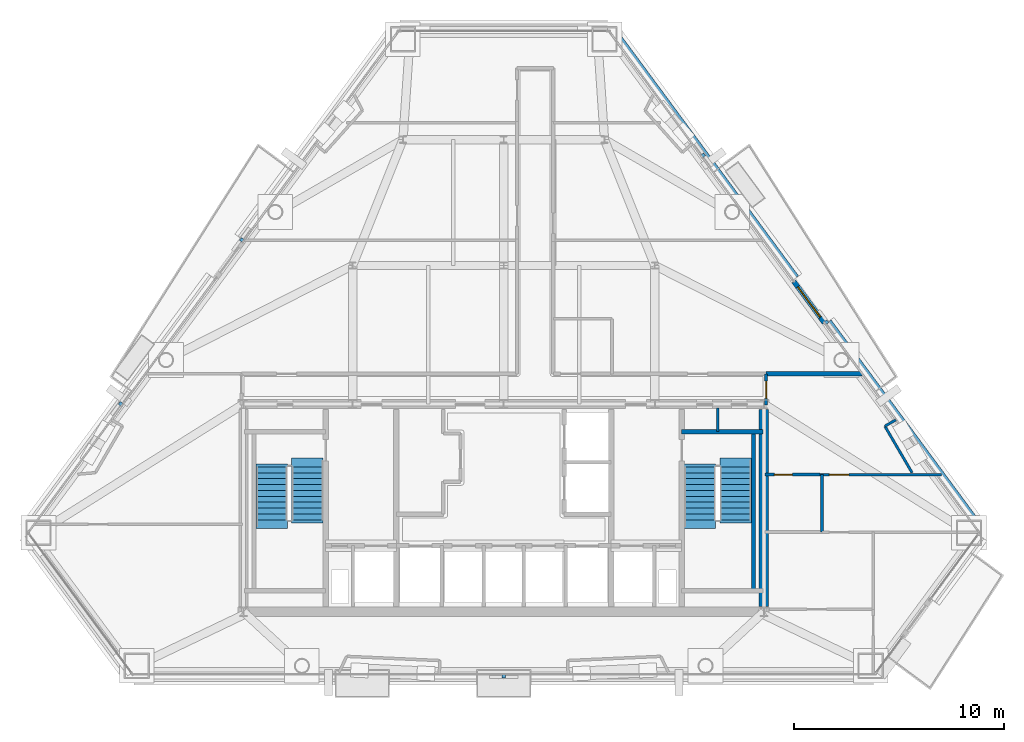
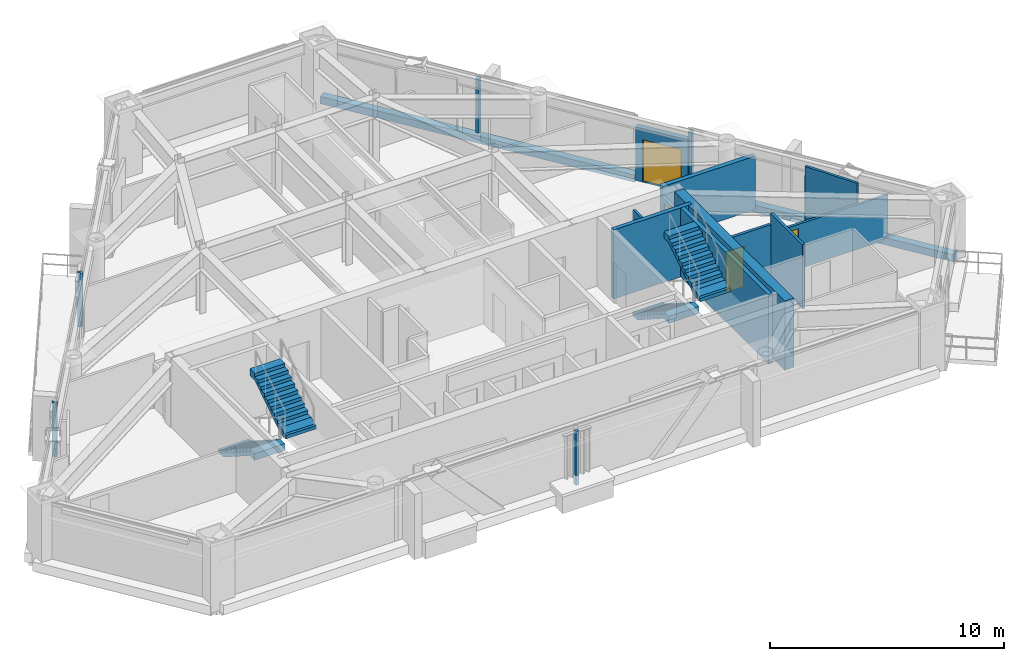
# One storey, part 9 of 11: 14 walls, 5 discrete accessories, 4 doors, 4 stair flights, 4 openings, 2 elements without a shape of their own.
"""IFC4 building model written with IfcOpenShell, lengths in metres."""

from ifc_helpers import new_model, si_unit, direction, frame, frame_2d, origin, origin_2d, place, context, subcontext, project, spatial, polyline, rectangle, outline, extrude, source, transform, mapped, material, layer, layer_set, type_object, type_shapes, element, fill, aggregate, save


model = new_model("IFC4")

# Units and contexts
model_context = context("Model", 3, precision=1e-05, world=origin(), true_north=direction((0.0, 1.0)))
body_context = subcontext(model_context, "Body", "Model", "MODEL_VIEW")
ifc_project = project(units=[si_unit("LENGTHUNIT", "METRE"), si_unit("AREAUNIT", "SQUARE_METRE"), si_unit("VOLUMEUNIT", "CUBIC_METRE"), si_unit("PLANEANGLEUNIT", "RADIAN"), si_unit("MASSUNIT", "GRAM", prefix="KILO")], contexts=[model_context])

# Site, building, storey
site_placement = place(None, origin())
site = spatial("IfcSite", under=ifc_project, at=site_placement, CompositionType="ELEMENT")
building_placement = place(site_placement, origin())
building = spatial("IfcBuilding", under=site, at=building_placement, Name="Talgorran Terracotta Tower", CompositionType="ELEMENT")
storey_placement = place(building_placement, frame((0.0, 0.0, 154.5)))
storey = spatial("IfcBuildingStorey", under=building, at=storey_placement, Name="L40", CompositionType="ELEMENT", Elevation=154.5)

# Wall, opening, door
ifc_material_1 = material(Name="Concrete C40/50", Category="concrete")
ifc_layer_1 = layer(ifc_material_1, 0.239990234375, Name="WT_BALCONY_SPAND")
ifc_layer_set_1 = layer_set([ifc_layer_1], Name="Concrete C40/50")
wall_type_1 = type_object("IfcWallType", Name="WT_BALCONY_SPAND", PredefinedType="STANDARD", material=ifc_layer_set_1)
wall_1_placement = place(storey_placement, frame((15.27490234375, -0.323974609375, -0.014892578125), z_axis=(0.0, 0.0, 1.0), x_axis=(-0.594092829232, 0.804396488216, 0.0)))
wall_1 = element("IfcWall", 1, at=wall_1_placement, inside=storey, type_object=wall_type_1, Name="WL-L40-BALP-BAL-NE", PredefinedType="STANDARD", context=body_context, shape_type="SweptSolid", body=[
    extrude(rectangle(XDim=2.440185546875, YDim=0.239990234375, at=frame_2d((1.22021484375, 0.0))), origin(), (0.0, 0.0, 1.0), 2.806884765625),
])
opening_1_placement = place(wall_1_placement, frame((0.320068359375, 0.0, 0.014892578125)))
opening_1 = element("IfcOpeningElement", 2, at=opening_1_placement, cuts=wall_1, Name="Opening D-BAL-L40-1", PredefinedType="OPENING", context=body_context, shape_type="SweptSolid", body=[
    extrude(rectangle(XDim=1.806048828125, YDim=2.203951171875, at=frame_2d((0.89990234375, 1.10205078125))), frame((0.0, 0.1298828125, 0.0), z_axis=(0.0, -1.0, 0.0), x_axis=(1.0, 0.0, 0.0)), (0.0, 0.0, 1.0), 0.260009765625),
])
ifc_material_2 = material(Name="Thermally Broken Aluminium", Category="aluminium")
door_type_1 = type_object("IfcDoorType", Name="DT_BALC_1800", OperationType="SLIDING_TO_LEFT", PredefinedType="DOOR", material=ifc_material_2)
door_1_placement = place(opening_1_placement, origin())
door_1 = element("IfcDoor", 3, at=door_1_placement, inside=storey, type_object=door_type_1, Name="DR-L40-BAL-BAL-NE", OperationType="SLIDING_TO_LEFT", OverallHeight=2.199951171875, OverallWidth=1.800048828125, PredefinedType="DOOR", context=body_context, shape_type="SweptSolid", body=[
    extrude(rectangle(XDim=1.800048828125, YDim=2.199951171875, at=frame_2d((0.89990234375, 1.10009765625))), frame((0.0, 0.02490234375, 0.0), z_axis=(0.0, -1.0, 0.0), x_axis=(1.0, 0.0, 0.0)), (0.0, 0.0, 1.0), 0.050048828125),
])
fill(opening_1, door_1)

# Walls
ifc_material_3 = material(Name="Concrete C50/60", Category="concrete")
ifc_layer_2 = layer(ifc_material_3, 0.199951171875, Name="WT_CORE_200")
ifc_layer_set_2 = layer_set([ifc_layer_2], Name="Concrete C50/60")
wall_type_2 = type_object("IfcWallType", Name="WT_CORE_200", PredefinedType="SOLIDWALL", material=ifc_layer_set_2)
wall_2_placement = place(storey_placement, frame((8.47998046875, -5.52001953125, 0.0), z_axis=(0.0, 0.0, 1.0), x_axis=(1.0, 0.0, 0.0)))
element("IfcWall", 4, at=wall_2_placement, inside=storey, type_object=wall_type_2, Name="WL-L40-CW-ST2-N", PredefinedType="SOLIDWALL", context=body_context, shape_type="SweptSolid", body=[
    extrude(rectangle(XDim=3.8701171875, YDim=0.199951171875, at=frame_2d((1.93505859375, 0.0))), origin(), (0.0, 0.0, 1.0), 3.60009765625),
])
wall_3_placement = place(storey_placement, frame((11.89990234375, -13.10009765625, 0.0), z_axis=(0.0, 0.0, 1.0), x_axis=(0.0, 1.0, 0.0)))
element("IfcWall", 5, at=wall_3_placement, inside=storey, type_object=wall_type_2, Name="WL-L40-CW-ST2-E", PredefinedType="SOLIDWALL", context=body_context, shape_type="SweptSolid", body=[
    extrude(rectangle(XDim=7.580078125, YDim=0.199951171875, at=frame_2d((3.7900390625, 0.0))), origin(), (0.0, 0.0, 1.0), 3.60009765625),
])
ifc_material_4 = material(Name="Concrete C65/80", Category="concrete")
ifc_layer_3 = layer(ifc_material_4, 0.449951171875, Name="WT_CORE_EXT")
ifc_layer_set_3 = layer_set([ifc_layer_3], Name="Concrete C65/80")
wall_type_3 = type_object("IfcWallType", Name="WT_CORE_EXT", PredefinedType="SHEAR", material=ifc_layer_set_3)
wall_4_placement = place(storey_placement, frame((12.39990234375, -13.85009765625, 0.0), z_axis=(0.0, 0.0, 1.0), x_axis=(0.0, 1.0, 0.0)))
element("IfcWall", 6, at=wall_4_placement, inside=storey, type_object=wall_type_3, Name="WL-L40-CW-OUT-E", PredefinedType="SHEAR", context=body_context, shape_type="SweptSolid", body=[
    extrude(rectangle(XDim=9.400146484375, YDim=0.449951171875, at=frame_2d((4.7001953125, 0.0))), origin(), (0.0, 0.0, 1.0), 3.60009765625),
])

# Wall, opening, door
ifc_material_5 = material(Name="Fire-Rated Steel Stud Plasterboard", Category="steel")
ifc_layer_4 = layer(ifc_material_5, 0.14990234375, Name="WT_FIRE_150")
ifc_layer_set_4 = layer_set([ifc_layer_4], Name="Fire-Rated Steel Stud Plasterboard")
wall_type_4 = type_object("IfcWallType", Name="WT_FIRE_150", PredefinedType="PARTITIONING", material=ifc_layer_set_4)
wall_5_placement = place(storey_placement, frame((12.5, -4.239990234375, 0.0), z_axis=(0.0, 0.0, 1.0), x_axis=(0.0, 1.0, 0.0)))
wall_5 = element("IfcWall", 7, at=wall_5_placement, inside=storey, type_object=wall_type_4, Name="WL-L40-W-L40-R03", PredefinedType="PARTITIONING", context=body_context, shape_type="SweptSolid", body=[
    extrude(rectangle(XDim=1.47998046875, YDim=0.14990234375, at=frame_2d((0.739990234375, 0.0))), origin(), (0.0, 0.0, 1.0), 2.324951171875),
])
opening_2_placement = place(wall_5_placement, frame((0.31494140625, 0.0, 0.0)))
opening_2 = element("IfcOpeningElement", 8, at=opening_2_placement, cuts=wall_5, Name="Opening DR-L40-R02", PredefinedType="OPENING", context=body_context, shape_type="SweptSolid", body=[
    extrude(rectangle(XDim=0.826068359375, YDim=2.10409765625, at=frame_2d((0.41015625, 1.052001953125))), frame((0.0, 0.0849609375, 0.0), z_axis=(0.0, -1.0, 0.0), x_axis=(1.0, 0.0, 0.0)), (0.0, 0.0, 1.0), 0.169921875),
])
ifc_material_6 = material(Name="Moisture-Resistant Solid Timber", Category="wood")
door_type_2 = type_object("IfcDoorType", Name="DT_INT_820", OperationType="NOTDEFINED", PredefinedType="DOOR", material=ifc_material_6)
door_2_placement = place(opening_2_placement, origin())
door_2 = element("IfcDoor", 9, at=door_2_placement, inside=storey, type_object=door_type_2, Name="DR-L40-R02", OperationType="SINGLE_SWING_RIGHT", OverallHeight=2.10009765625, OverallWidth=0.820068359375, PredefinedType="DOOR", context=body_context, shape_type="SweptSolid", body=[
    extrude(rectangle(XDim=0.820068359375, YDim=2.10009765625, at=frame_2d((0.41015625, 1.050048828125))), frame((0.0, 0.02490234375, 0.0), z_axis=(0.0, -1.0, 0.0), x_axis=(1.0, 0.0, 0.0)), (0.0, 0.0, 1.0), 0.050048828125),
])
fill(opening_2, door_2)

# Walls
ifc_layer_5 = layer(ifc_material_1, 0.219970703125, Name="WT_PARAPET_RC")
ifc_layer_set_5 = layer_set([ifc_layer_5], Name="Concrete C40/50")
wall_type_5 = type_object("IfcWallType", Name="WT_PARAPET_RC", PredefinedType="PARAPET", material=ifc_layer_set_5)
wall_6_placement = place(storey_placement, frame((22.722900390625, -10.1396484375, -0.199951171875), z_axis=(0.0, 0.0, 1.0), x_axis=(-0.59407502275, 0.804409639017, 0.0)))
element("IfcWall", 10, at=wall_6_placement, inside=storey, type_object=wall_type_5, Name="L40 Striped Portal Precast Cornice F40", PredefinedType="PARAPET", context=body_context, shape_type="SweptSolid", body=[
    extrude(rectangle(XDim=12.23046875, YDim=0.360107421875, at=frame_2d((6.115234375, 0.0))), origin(), (0.0, 0.0, 1.0), 0.3798828125),
])
wall_7_placement = place(storey_placement, frame((13.900634765625, 1.80615234375, -0.199951171875), z_axis=(0.0, 0.0, 1.0), x_axis=(-0.594075751219, 0.804409101026, 0.0)))
element("IfcWall", 11, at=wall_7_placement, inside=storey, type_object=wall_type_5, Name="L40 Striped Portal Precast Cornice F41", PredefinedType="PARAPET", context=body_context, shape_type="SweptSolid", body=[
    extrude(rectangle(XDim=14.632080078125, YDim=0.360107421875, at=frame_2d((7.31591796875, 0.0))), origin(), (0.0, 0.0, 1.0), 0.3798828125),
])
ifc_material_7 = material(Name="Acoustic Masonry and Plasterboard", Category="masonry")
ifc_layer_6 = layer(ifc_material_7, 0.219970703125, Name="WT_PARTY_220")
ifc_layer_set_6 = layer_set([ifc_layer_6], Name="Acoustic Masonry and Plasterboard")
wall_type_6 = type_object("IfcWallType", Name="WT_PARTY_220", PredefinedType="PARTITIONING", material=ifc_layer_set_6)
wall_8_placement = place(storey_placement, frame((12.5, -2.760009765625, 0.0), z_axis=(0.0, 0.0, 1.0), x_axis=(1.0, 0.0, 0.0)))
element("IfcWall", 12, at=wall_8_placement, inside=storey, type_object=wall_type_6, Name="WL-L40-W-L40-R19", PredefinedType="PARTITIONING", context=body_context, shape_type="SweptSolid", body=[
    extrude(rectangle(XDim=4.573974609375, YDim=0.219970703125, at=frame_2d((2.287109375, 0.0))), origin(), (0.0, 0.0, 1.0), 2.7919921875),
])
ifc_material_8 = material(Name="Insulated Steel Stud Plasterboard", Category="steel")
ifc_layer_7 = layer(ifc_material_8, 0.1201171875, Name="WT_PART_120")
ifc_layer_set_7 = layer_set([ifc_layer_7], Name="Insulated Steel Stud Plasterboard")
wall_type_7 = type_object("IfcWallType", Name="WT_PART_120", PredefinedType="PARTITIONING", material=ifc_layer_set_7)
wall_9_placement = place(storey_placement, frame((10.199951171875, -5.52001953125, 0.0), z_axis=(0.0, 0.0, 1.0), x_axis=(0.0, 1.0, 0.0)))
element("IfcWall", 13, at=wall_9_placement, inside=storey, type_object=wall_type_7, Name="WL-L40-CW-CSE-DIV", PredefinedType="PARTITIONING", context=body_context, shape_type="SweptSolid", body=[
    extrude(rectangle(XDim=1.1201171875, YDim=0.1201171875, at=frame_2d((0.56005859375, 0.0))), origin(), (0.0, 0.0, 1.0), 3.35009765625),
])

# Wall, opening, door
wall_10_placement = place(storey_placement, frame((15.080078125, -7.56005859375, 0.0), z_axis=(0.0, 0.0, 1.0), x_axis=(1.0, 0.0, 0.0)))
wall_10 = element("IfcWall", 14, at=wall_10_placement, inside=storey, type_object=wall_type_7, Name="WL-L40-W-L40-R17", PredefinedType="PARTITIONING", context=body_context, shape_type="SweptSolid", body=[
    extrude(rectangle(XDim=5.780029296875, YDim=0.1201171875, at=frame_2d((2.89013671875, 0.0))), origin(), (0.0, 0.0, 1.0), 2.324951171875),
])
opening_3_placement = place(wall_10_placement, frame((0.43701171875, 0.0, 0.0)))
opening_3 = element("IfcOpeningElement", 15, at=opening_3_placement, cuts=wall_10, Name="Opening DR-L40-R04", PredefinedType="OPENING", context=body_context, shape_type="SweptSolid", body=[
    extrude(rectangle(XDim=0.925921875, YDim=2.10409765625, at=frame_2d((0.4599609375, 1.052001953125))), frame((0.0, 0.070068359375, 0.0), z_axis=(0.0, -1.0, 0.0), x_axis=(1.0, 0.0, 0.0)), (0.0, 0.0, 1.0), 0.14013671875),
])
ifc_material_9 = material(Name="Solid-Core Painted Timber", Category="wood")
door_type_3 = type_object("IfcDoorType", Name="DT_INT_920", OperationType="NOTDEFINED", PredefinedType="DOOR", material=ifc_material_9)
door_3_placement = place(opening_3_placement, origin())
door_3 = element("IfcDoor", 16, at=door_3_placement, inside=storey, type_object=door_type_3, Name="DR-L40-R04", OperationType="SINGLE_SWING_RIGHT", OverallHeight=2.10009765625, OverallWidth=0.919921875, PredefinedType="DOOR", context=body_context, shape_type="SweptSolid", body=[
    extrude(rectangle(XDim=0.919921875, YDim=2.10009765625, at=frame_2d((0.4599609375, 1.050048828125))), frame((0.0, 0.02490234375, 0.0), z_axis=(0.0, -1.0, 0.0), x_axis=(1.0, 0.0, 0.0)), (0.0, 0.0, 1.0), 0.050048828125),
])
fill(opening_3, door_3)

# Walls
wall_11_placement = place(storey_placement, frame((19.456787109375, -7.471435546875, 0.0), z_axis=(0.0, 0.0, 1.0), x_axis=(-0.504681313398, 0.863305723314, 0.0)))
element("IfcWall", 17, at=wall_11_placement, inside=storey, type_object=wall_type_7, Name="WL-L40-BW-L40-13", PredefinedType="PARTITIONING", context=body_context, shape_type="SweptSolid", body=[
    extrude(rectangle(XDim=2.56591796875, YDim=0.1201171875, at=frame_2d((1.282958984375, 0.0))), origin(), (0.0, 0.0, 1.0), 3.35009765625),
])
wall_12_placement = place(storey_placement, frame((18.161865234375, -5.25634765625, 0.0), z_axis=(0.0, 0.0, 1.0), x_axis=(0.863277740544, 0.504729177561, 0.0)))
element("IfcWall", 18, at=wall_12_placement, inside=storey, type_object=wall_type_7, Name="WL-L40-BW-L40-11", PredefinedType="PARTITIONING", context=body_context, shape_type="SweptSolid", body=[
    extrude(rectangle(XDim=0.601318359375, YDim=0.1201171875, at=frame_2d((0.30078125, 0.0))), origin(), (0.0, 0.0, 1.0), 2.7919921875),
])

# Wall, opening, door
ifc_material_10 = material(Name="Moisture-Resistant Stud Wall")
ifc_layer_8 = layer(ifc_material_10, 0.135009765625, Name="WT_PART_135")
ifc_layer_set_8 = layer_set([ifc_layer_8], Name="Moisture-Resistant Stud Wall")
wall_type_8 = type_object("IfcWallType", Name="WT_PART_135", PredefinedType="PARTITIONING", material=ifc_layer_set_8)
wall_13_placement = place(storey_placement, frame((12.43994140625, -7.56005859375, 0.0), z_axis=(0.0, 0.0, 1.0), x_axis=(1.0, 0.0, 0.0)))
wall_13 = element("IfcWall", 19, at=wall_13_placement, inside=storey, type_object=wall_type_8, Name="WL-L40-W-L40-R16", PredefinedType="PARTITIONING", context=body_context, shape_type="SweptSolid", body=[
    extrude(rectangle(XDim=2.637939453125, YDim=0.135009765625, at=frame_2d((1.31884765625, 0.0))), origin(), (0.0, 0.0, 1.0), 2.7919921875),
])
opening_4_placement = place(wall_13_placement, frame((0.458251953125, 0.0, 0.0)))
opening_4 = element("IfcOpeningElement", 20, at=opening_4_placement, cuts=wall_13, Name="Opening DR-L40-R03", PredefinedType="OPENING", context=body_context, shape_type="SweptSolid", body=[
    extrude(rectangle(XDim=0.85609765625, YDim=2.10409765625, at=frame_2d((0.425048828125, 1.052001953125))), frame((0.0, 0.07763671875, 0.0), z_axis=(0.0, -1.0, 0.0), x_axis=(1.0, 0.0, 0.0)), (0.0, 0.0, 1.0), 0.155029296875),
])
door_type_4 = type_object("IfcDoorType", Name="DT_INT_850", OperationType="NOTDEFINED", PredefinedType="DOOR", material=ifc_material_6)
door_4_placement = place(opening_4_placement, origin())
door_4 = element("IfcDoor", 21, at=door_4_placement, inside=storey, type_object=door_type_4, Name="DR-L40-R03", OperationType="SINGLE_SWING_LEFT", OverallHeight=2.10009765625, OverallWidth=0.85009765625, PredefinedType="DOOR", context=body_context, shape_type="SweptSolid", body=[
    extrude(rectangle(XDim=0.85009765625, YDim=2.10009765625, at=frame_2d((0.425048828125, 1.050048828125))), frame((0.0, 0.02490234375, 0.0), z_axis=(0.0, -1.0, 0.0), x_axis=(1.0, 0.0, 0.0)), (0.0, 0.0, 1.0), 0.050048828125),
])
fill(opening_4, door_4)

# Wall
wall_14_placement = place(storey_placement, frame((15.159912109375, -10.300048828125, 0.0), z_axis=(0.0, 0.0, 1.0), x_axis=(0.0, 1.0, 0.0)))
element("IfcWall", 22, at=wall_14_placement, inside=storey, type_object=wall_type_8, Name="WL-L40-W-L40-R20", PredefinedType="PARTITIONING", context=body_context, shape_type="SweptSolid", body=[
    extrude(rectangle(XDim=2.739990234375, YDim=0.135009765625, at=frame_2d((1.3701171875, 0.0))), origin(), (0.0, 0.0, 1.0), 3.35009765625),
])

# Stair, stair flights
stair_type = type_object("IfcStairType", Name="ST_FIRE_SCISSOR", PredefinedType="HALF_TURN_STAIR", material=ifc_material_1)
stair_1_placement = place(storey_placement, origin())
stair_1 = element("IfcStair", 23, at=stair_1_placement, inside=storey, type_object=stair_type, Name="L40 West Protected Fire Stair ST-01", PredefinedType="HALF_TURN_STAIR")
ifc_layer_9 = layer(ifc_material_1, 0.179931640625, Name="STF_RC_1500")
ifc_layer_set_9 = layer_set([ifc_layer_9], Name="Concrete C40/50")
stair_flight_type = type_object("IfcStairFlightType", Name="STF_RC_1500", PredefinedType="STRAIGHT", material=ifc_layer_set_9)
stair_flight_1_placement = place(storey_placement, frame((-11.050048828125, -7.199951171875, 0.0), z_axis=(0.0, 0.0, 1.0), x_axis=(0.0, -1.0, 0.0)))
stair_flight_1 = element("IfcStairFlight", 24, at=stair_flight_1_placement, type_object=stair_flight_type, Name="ST-01 flight 1", NumberOfRisers=10, NumberOfTreads=9, PredefinedType="STRAIGHT", RiserHeight=0.18, TreadLength=0.28, context=body_context, shape_type="SweptSolid", body=[
    extrude(outline(polyline([(-0.139892578125, 0.0), (-0.139892578125, 0.179931640625), (0.0, 0.179931640625), (0.280029296875, 0.360107421875), (0.56005859375, 0.360107421875), (0.56005859375, 0.5400390625), (0.840087890625, 0.5400390625), (0.840087890625, 0.719970703125), (1.1201171875, 0.719970703125), (1.1201171875, 0.89990234375), (1.39990234375, 0.89990234375), (1.39990234375, 1.080078125), (1.679931640625, 1.080078125), (1.679931640625, 1.260009765625), (1.9599609375, 1.260009765625), (1.9599609375, 1.43994140625), (2.239990234375, 1.43994140625), (2.239990234375, 1.6201171875), (2.52001953125, 1.6201171875), (2.52001953125, 1.800048828125), (2.93994140625, 1.800048828125), (2.93994140625, 1.44189453125), (2.52001953125, 1.44189453125), (0.277099609375, 0.0), (-0.139892578125, 0.0)])), frame((0.0, 0.75, 0.0), z_axis=(0.0, -1.0, 0.0), x_axis=(1.0, 0.0, 0.0)), (0.0, 0.0, 1.0), 1.5),
])
stair_flight_2_placement = place(storey_placement, frame((-9.35009765625, -9.719970703125, 1.800048828125), z_axis=(0.0, 0.0, 1.0), x_axis=(0.0, 1.0, 0.0)))
stair_flight_2 = element("IfcStairFlight", 25, at=stair_flight_2_placement, type_object=stair_flight_type, Name="ST-01 flight 2", NumberOfRisers=10, NumberOfTreads=9, PredefinedType="STRAIGHT", RiserHeight=0.18, TreadLength=0.28, context=body_context, shape_type="SweptSolid", body=[
    extrude(outline(polyline([(-0.139892578125, 0.0), (-0.139892578125, 0.179931640625), (0.0, 0.179931640625), (0.280029296875, 0.360107421875), (0.56005859375, 0.360107421875), (0.56005859375, 0.5400390625), (0.840087890625, 0.5400390625), (0.840087890625, 0.719970703125), (1.1201171875, 0.719970703125), (1.1201171875, 0.89990234375), (1.39990234375, 0.89990234375), (1.39990234375, 1.080078125), (1.679931640625, 1.080078125), (1.679931640625, 1.260009765625), (1.9599609375, 1.260009765625), (1.9599609375, 1.43994140625), (2.239990234375, 1.43994140625), (2.239990234375, 1.6201171875), (2.52001953125, 1.6201171875), (2.52001953125, 1.800048828125), (2.93994140625, 1.800048828125), (2.93994140625, 1.44189453125), (2.52001953125, 1.44189453125), (0.277099609375, 0.0), (-0.139892578125, 0.0)])), frame((0.0, 0.75, 0.0), z_axis=(0.0, -1.0, 0.0), x_axis=(1.0, 0.0, 0.0)), (0.0, 0.0, 1.0), 1.5),
])
aggregate(stair_1, [stair_flight_1, stair_flight_2])

stair_2_placement = place(storey_placement, origin())
stair_2 = element("IfcStair", 26, at=stair_2_placement, inside=storey, type_object=stair_type, Name="L40 East Protected Fire Stair ST-02", PredefinedType="HALF_TURN_STAIR")
stair_flight_3_placement = place(storey_placement, frame((9.35009765625, -7.199951171875, 0.0), z_axis=(0.0, 0.0, 1.0), x_axis=(0.0, -1.0, 0.0)))
stair_flight_3 = element("IfcStairFlight", 27, at=stair_flight_3_placement, type_object=stair_flight_type, Name="ST-02 flight 1", NumberOfRisers=10, NumberOfTreads=9, PredefinedType="STRAIGHT", RiserHeight=0.18, TreadLength=0.28, context=body_context, shape_type="SweptSolid", body=[
    extrude(outline(polyline([(-0.139892578125, 0.0), (-0.139892578125, 0.179931640625), (0.0, 0.179931640625), (0.280029296875, 0.360107421875), (0.56005859375, 0.360107421875), (0.56005859375, 0.5400390625), (0.840087890625, 0.5400390625), (0.840087890625, 0.719970703125), (1.1201171875, 0.719970703125), (1.1201171875, 0.89990234375), (1.39990234375, 0.89990234375), (1.39990234375, 1.080078125), (1.679931640625, 1.080078125), (1.679931640625, 1.260009765625), (1.9599609375, 1.260009765625), (1.9599609375, 1.43994140625), (2.239990234375, 1.43994140625), (2.239990234375, 1.6201171875), (2.52001953125, 1.6201171875), (2.52001953125, 1.800048828125), (2.93994140625, 1.800048828125), (2.93994140625, 1.44189453125), (2.52001953125, 1.44189453125), (0.277099609375, 0.0), (-0.139892578125, 0.0)])), frame((0.0, 0.75, 0.0), z_axis=(0.0, -1.0, 0.0), x_axis=(1.0, 0.0, 0.0)), (0.0, 0.0, 1.0), 1.5),
])
stair_flight_4_placement = place(storey_placement, frame((11.050048828125, -9.719970703125, 1.800048828125), z_axis=(0.0, 0.0, 1.0), x_axis=(0.0, 1.0, 0.0)))
stair_flight_4 = element("IfcStairFlight", 28, at=stair_flight_4_placement, type_object=stair_flight_type, Name="ST-02 flight 2", NumberOfRisers=10, NumberOfTreads=9, PredefinedType="STRAIGHT", RiserHeight=0.18, TreadLength=0.28, context=body_context, shape_type="SweptSolid", body=[
    extrude(outline(polyline([(-0.139892578125, 0.0), (-0.139892578125, 0.179931640625), (0.0, 0.179931640625), (0.280029296875, 0.360107421875), (0.56005859375, 0.360107421875), (0.56005859375, 0.5400390625), (0.840087890625, 0.5400390625), (0.840087890625, 0.719970703125), (1.1201171875, 0.719970703125), (1.1201171875, 0.89990234375), (1.39990234375, 0.89990234375), (1.39990234375, 1.080078125), (1.679931640625, 1.080078125), (1.679931640625, 1.260009765625), (1.9599609375, 1.260009765625), (1.9599609375, 1.43994140625), (2.239990234375, 1.43994140625), (2.239990234375, 1.6201171875), (2.52001953125, 1.6201171875), (2.52001953125, 1.800048828125), (2.93994140625, 1.800048828125), (2.93994140625, 1.44189453125), (2.52001953125, 1.44189453125), (0.277099609375, 0.0), (-0.139892578125, 0.0)])), frame((0.0, 0.75, 0.0), z_axis=(0.0, -1.0, 0.0), x_axis=(1.0, 0.0, 0.0)), (0.0, 0.0, 1.0), 1.5),
])
aggregate(stair_2, [stair_flight_3, stair_flight_4])

# Discrete accessories
ifc_material_11 = material(Name="Stainless Steel Grade 316", Category="steel")
ifc_layer_10 = layer(ifc_material_11, 0.080078125, Name="ACC_BAGUETTE_BRKT")
ifc_layer_set_10 = layer_set([ifc_layer_10], Name="Stainless Steel Grade 316")
discrete_accessory_type = type_object("IfcDiscreteAccessoryType", Name="ACC_BAGUETTE_BRKT", PredefinedType="BRACKET", material=ifc_layer_set_10)
shared_shape = source(origin(), body_context, "Body", "SweptSolid", [
    extrude(rectangle(XDim=0.159912109375, YDim=0.219970703125, at=origin_2d()), origin(), (0.0, 0.0, 1.0), 2.800048828125),
])
type_shapes(discrete_accessory_type, [shared_shape])
for number, where, z_axis, x_axis, name in (
    (29, (0.0, -17.144287109375, 0.35009765625), (0.0, 0.0, 1.0), (1.0, 0.0, 0.0), "BRK-L40-F1"),
    (30, (15.3564453125, -0.31640625, 0.35009765625), (0.0, 0.0, 1.0), (-0.594078945078, 0.804406742274, 0.0), "BRK-L40-F40"),
    (31, (9.48193359375, 7.6376953125, 0.35009765625), (0.0, 0.0, 1.0), (-0.594078945078, 0.804406742274, 0.0), "BRK-L40-F41"),
    (32, (-12.46044921875, 3.604736328125, 0.35009765625), (0.0, 0.0, 1.0), (-0.594078945078, -0.804406742274, 0.0), "BRK-L40-F60"),
    (33, (-18.23046875, -4.2080078125, 0.35009765625), (0.0, 0.0, 1.0), (-0.594078945078, -0.804406742274, 0.0), "BRK-L40-F61"),
):
    element("IfcDiscreteAccessory", number, at=place(storey_placement, frame(where, z_axis=z_axis, x_axis=x_axis)), inside=storey, type_object=discrete_accessory_type, Name=name, PredefinedType="BRACKET", context=body_context, shape_type="MappedRepresentation", body=[
        mapped(shared_shape, transform((0.0, 0.0, 0.0), scale=1.0)),
    ])

save(model, "model.ifc")
